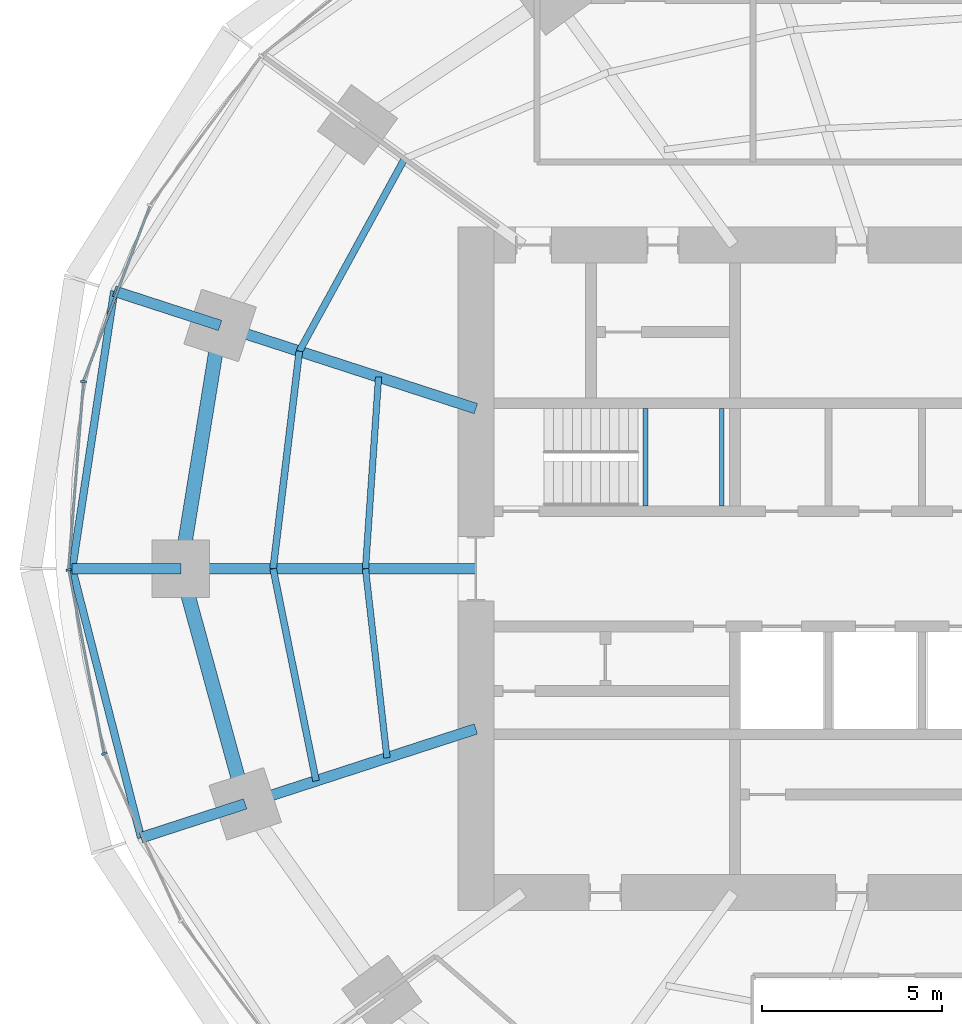
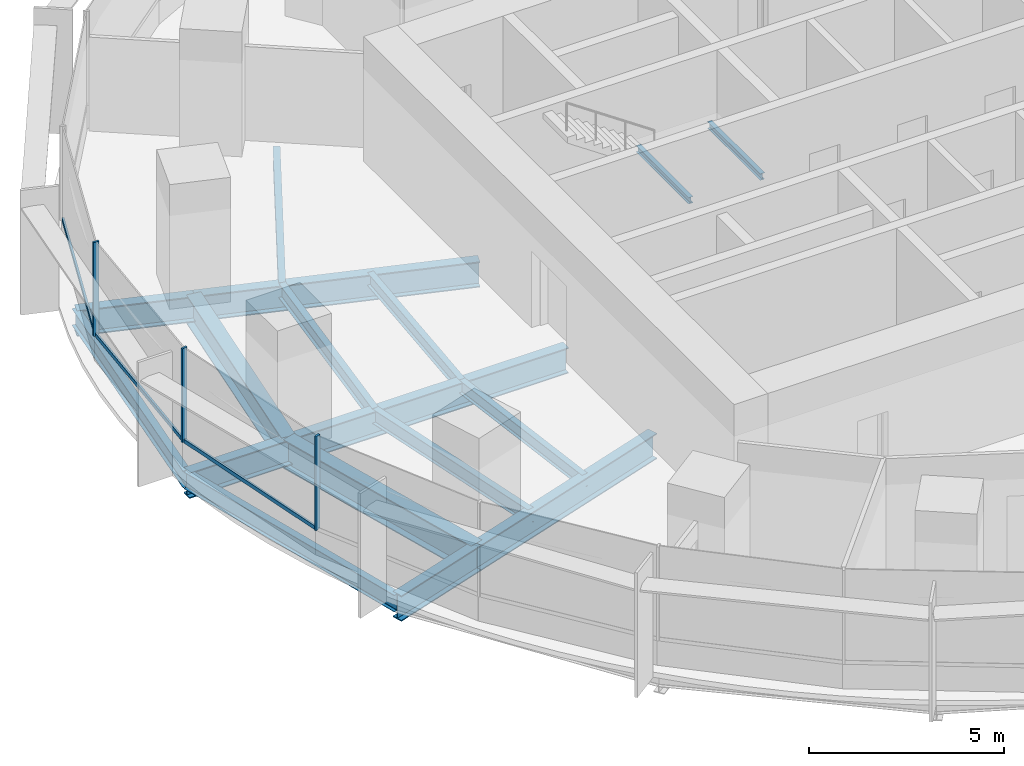
# One storey, part 4 of 14: 17 beams, 6 members, 2 elements without a shape of their own.
"""IFC4 building model written with IfcOpenShell, lengths in metres."""

from ifc_helpers import new_model, si_unit, direction, frame, origin, origin_2d, place, context, subcontext, project, spatial, rectangle, i_section, extrude, material, material_profile, profile_set, type_object, element, aggregate, save


model = new_model("IFC4")

# Units and contexts
model_context = context("Model", 3, precision=1e-05, world=origin(), true_north=direction((0.0, 1.0)))
body_context = subcontext(model_context, "Body", "Model", "MODEL_VIEW")
ifc_project = project(units=[si_unit("LENGTHUNIT", "METRE"), si_unit("AREAUNIT", "SQUARE_METRE"), si_unit("VOLUMEUNIT", "CUBIC_METRE"), si_unit("PLANEANGLEUNIT", "RADIAN"), si_unit("MASSUNIT", "GRAM", prefix="KILO")], contexts=[model_context])

# Site, building, storey
site_placement = place(None, origin())
site = spatial("IfcSite", under=ifc_project, at=site_placement, CompositionType="ELEMENT")
building_placement = place(site_placement, origin())
building = spatial("IfcBuilding", under=site, at=building_placement, Name="Marramba Exchange Tower", CompositionType="ELEMENT")
storey_placement = place(building_placement, frame((0.0, 0.0, 158.699951171875)))
storey = spatial("IfcBuildingStorey", under=building, at=storey_placement, Name="L38", CompositionType="ELEMENT", Elevation=158.699951171875)

# Beams
ifc_material_1 = material(Name="Steel AS/NZS 3679.2 grade 300", Category="steel")
ifc_material_profile_1 = material_profile(ifc_material_1, i_section(OverallWidth=0.300048828125, OverallDepth=0.800048828125, WebThickness=0.013916015625, FlangeThickness=0.031982421875, at=origin_2d()), Name="800WB192")
ifc_profile_set_1 = profile_set([ifc_material_profile_1], Name="Steel AS/NZS 3679.2 grade 300")
beam_type_1 = type_object("IfcBeamType", Name="Cantilever girder 800WB192", PredefinedType="BEAM", material=ifc_profile_set_1)
beam_1_placement = place(storey_placement, frame((-20.808349609375, 6.760986328125, -0.56005859375), z_axis=(-0.95104799017, 0.309043233858, 0.0), x_axis=(-0.309043233858, -0.95104799017, 0.0)))
element("IfcBeam", 1, at=beam_1_placement, inside=storey, type_object=beam_type_1, Name="Cantilever girder L38 TC10", PredefinedType="BEAM", context=body_context, shape_type="SweptSolid", body=[
    extrude(i_section(OverallWidth=0.300048828125, OverallDepth=0.800048828125, WebThickness=0.013916015625, FlangeThickness=0.031982421875, at=origin_2d()), origin(), (0.0, 0.0, 1.0), 3.0927734375),
])
beam_2_placement = place(storey_placement, frame((-21.89990234375, 0.0, -0.56005859375), z_axis=(-1.0, 0.0, 0.0), x_axis=(0.0, -1.0, 0.0)))
element("IfcBeam", 2, at=beam_2_placement, inside=storey, type_object=beam_type_1, Name="Cantilever girder L38 TC11", PredefinedType="BEAM", context=body_context, shape_type="SweptSolid", body=[
    extrude(i_section(OverallWidth=0.300048828125, OverallDepth=0.800048828125, WebThickness=0.013916015625, FlangeThickness=0.031982421875, at=origin_2d()), origin(), (0.0, 0.0, 1.0), 3.01806640625),
])
beam_3_placement = place(storey_placement, frame((-20.109375, -6.533935546875, -0.56005859375), z_axis=(-0.951070617775, -0.308973591113, 0.0), x_axis=(0.308973591113, -0.951070617775, 0.0)))
element("IfcBeam", 3, at=beam_3_placement, inside=storey, type_object=beam_type_1, Name="Cantilever girder L38 TC12", PredefinedType="BEAM", context=body_context, shape_type="SweptSolid", body=[
    extrude(i_section(OverallWidth=0.300048828125, OverallDepth=0.800048828125, WebThickness=0.013916015625, FlangeThickness=0.031982421875, at=origin_2d()), origin(), (0.0, 0.0, 1.0), 3.04296875),
])
ifc_material_2 = material(Name="Steel AS/NZS 3679.1 grade 300", Category="steel")
ifc_material_profile_2 = material_profile(ifc_material_2, i_section(OverallWidth=0.177978515625, OverallDepth=0.406005859375, WebThickness=0.0078125, FlangeThickness=0.0126953125, FilletRadius=0.011474609375, at=origin_2d()), Name="410UB59.7")
ifc_profile_set_2 = profile_set([ifc_material_profile_2], Name="Steel AS/NZS 3679.1 grade 300")
beam_type_2 = type_object("IfcBeamType", Name="Floor joist 410UB59.7", PredefinedType="JOIST", material=ifc_profile_set_2)
beam_4_placement = place(storey_placement, frame((-16.40283203125, 5.32958984375, -0.363037109375), z_axis=(-0.068096259546, -0.99767875563, 0.0), x_axis=(0.99767875563, -0.068096259546, 0.0)))
element("IfcBeam", 4, at=beam_4_placement, inside=storey, type_object=beam_type_2, Name="Joist L38 bay 10 row 1", PredefinedType="JOIST", context=body_context, shape_type="SweptSolid", body=[
    extrude(i_section(OverallWidth=0.177978515625, OverallDepth=0.406005859375, WebThickness=0.0078125, FlangeThickness=0.0126953125, FilletRadius=0.011474609375, at=origin_2d()), origin(), (0.0, 0.0, 1.0), 5.342041015625),
])
beam_5_placement = place(storey_placement, frame((-16.7666015625, 0.0, -0.363037109375), z_axis=(0.112888968594, -0.993607609054, 0.0), x_axis=(0.993607609054, 0.112888968594, 0.0)))
element("IfcBeam", 5, at=beam_5_placement, inside=storey, type_object=beam_type_2, Name="Joist L38 bay 11 row 1", PredefinedType="JOIST", context=body_context, shape_type="SweptSolid", body=[
    extrude(i_section(OverallWidth=0.177978515625, OverallDepth=0.406005859375, WebThickness=0.0078125, FlangeThickness=0.0126953125, FilletRadius=0.011474609375, at=origin_2d()), origin(), (0.0, 0.0, 1.0), 5.28759765625),
])
ifc_material_profile_3 = material_profile(ifc_material_2, i_section(OverallWidth=0.18994140625, OverallDepth=0.4541015625, WebThickness=0.008544921875, FlangeThickness=0.0126953125, FilletRadius=0.011474609375, at=origin_2d()), Name="460UB67.1")
ifc_profile_set_3 = profile_set([ifc_material_profile_3], Name="Steel AS/NZS 3679.1 grade 300")
beam_type_3 = type_object("IfcBeamType", Name="Floor joist 460UB67.1", PredefinedType="JOIST", material=ifc_profile_set_3)
beam_6_placement = place(storey_placement, frame((-15.682373046875, 11.393798828125, -0.386962890625), z_axis=(-0.479584443791, -0.877495732909, 0.0), x_axis=(0.877495732909, -0.479584443791, 0.0)))
element("IfcBeam", 6, at=beam_6_placement, inside=storey, type_object=beam_type_3, Name="Joist L38 bay 09 row 2", PredefinedType="JOIST", context=body_context, shape_type="SweptSolid", body=[
    extrude(i_section(OverallWidth=0.18994140625, OverallDepth=0.4541015625, WebThickness=0.008544921875, FlangeThickness=0.0126953125, FilletRadius=0.011474609375, at=origin_2d()), origin(), (0.0, 0.0, 1.0), 6.094970703125),
])
beam_7_placement = place(storey_placement, frame((-18.60546875, 6.04541015625, -0.386962890625), z_axis=(-0.119523078538, -0.992831422597, 0.0), x_axis=(0.992831422597, -0.119523078538, 0.0)))
element("IfcBeam", 7, at=beam_7_placement, inside=storey, type_object=beam_type_3, Name="Joist L38 bay 10 row 2", PredefinedType="JOIST", context=body_context, shape_type="SweptSolid", body=[
    extrude(i_section(OverallWidth=0.18994140625, OverallDepth=0.4541015625, WebThickness=0.008544921875, FlangeThickness=0.0126953125, FilletRadius=0.011474609375, at=origin_2d()), origin(), (0.0, 0.0, 1.0), 6.089111328125),
])
beam_8_placement = place(storey_placement, frame((-19.333251953125, 0.0, -0.386962890625), z_axis=(0.198489047047, -0.980103105904, 0.0), x_axis=(0.980103105904, 0.198489047047, 0.0)))
element("IfcBeam", 8, at=beam_8_placement, inside=storey, type_object=beam_type_3, Name="Joist L38 bay 11 row 2", PredefinedType="JOIST", context=body_context, shape_type="SweptSolid", body=[
    extrude(i_section(OverallWidth=0.18994140625, OverallDepth=0.4541015625, WebThickness=0.008544921875, FlangeThickness=0.0126953125, FilletRadius=0.011474609375, at=origin_2d()), origin(), (0.0, 0.0, 1.0), 6.013427734375),
])

# Curtain wall, member
ifc_material_3 = material(Name="Aluminium framing, bronze anodised", Category="aluminium")
curtain_wall_type = type_object("IfcCurtainWallType", Name="Office ribbon curtain wall", PredefinedType="USERDEFINED", material=ifc_material_3)
curtain_wall_1_placement = place(storey_placement, origin())
curtain_wall_1 = element("IfcCurtainWall", 9, at=curtain_wall_1_placement, inside=storey, type_object=curtain_wall_type, Name="Curtain wall CW4 L38 F11-F15", ObjectType="RIBBON CURTAIN WALL", PredefinedType="USERDEFINED")
ifc_material_4 = material(Name="Aluminium mullion, bronze anodised", Category="aluminium")
ifc_material_profile_4 = material_profile(ifc_material_4, rectangle(XDim=0.159912109375, YDim=0.06005859375, at=origin_2d()), Name="CW4 mullion 60x160")
ifc_profile_set_4 = profile_set([ifc_material_profile_4], Name="Aluminium mullion, bronze anodised")
member_type_1 = type_object("IfcMemberType", Name="Office ribbon curtain wall mullion", PredefinedType="MULLION", material=ifc_profile_set_4)
member_1_placement = place(storey_placement, frame((-24.603515625, 5.19921875, 0.800048828125), z_axis=(0.0, 0.0, 1.0), x_axis=(0.996838079455, -0.079459696383, 0.0)))
member_1 = element("IfcMember", 10, at=member_1_placement, type_object=member_type_1, Name="CW4 mullion 1", PredefinedType="MULLION", context=body_context, shape_type="SweptSolid", body=[
    extrude(rectangle(XDim=0.159912109375, YDim=0.06005859375, at=origin_2d()), origin(), (0.0, 0.0, 1.0), 2.93994140625),
])

# Curtain wall, members
curtain_wall_2_placement = place(storey_placement, origin())
curtain_wall_2 = element("IfcCurtainWall", 11, at=curtain_wall_2_placement, inside=storey, type_object=curtain_wall_type, Name="Curtain wall CW4 L38 F16-F20", ObjectType="RIBBON CURTAIN WALL", PredefinedType="USERDEFINED")
member_2_placement = place(storey_placement, frame((-25.012451171875, -0.029541015625, 0.800048828125), z_axis=(0.0, 0.0, 1.0), x_axis=(0.982125509078, 0.18822721487, 0.0)))
member_2 = element("IfcMember", 12, at=member_2_placement, type_object=member_type_1, Name="CW4 mullion 1", PredefinedType="MULLION", context=body_context, shape_type="SweptSolid", body=[
    extrude(rectangle(XDim=0.159912109375, YDim=0.06005859375, at=origin_2d()), origin(), (0.0, 0.0, 1.0), 2.93994140625),
])
member_3_placement = place(storey_placement, frame((-24.026123046875, -5.136962890625, 0.800048828125), z_axis=(0.0, 0.0, 1.0), x_axis=(0.909026713177, 0.416737848929, 0.0)))
member_3 = element("IfcMember", 13, at=member_3_placement, type_object=member_type_1, Name="CW4 mullion 1", PredefinedType="MULLION", context=body_context, shape_type="SweptSolid", body=[
    extrude(rectangle(XDim=0.159912109375, YDim=0.06005859375, at=origin_2d()), origin(), (0.0, 0.0, 1.0), 2.93994140625),
])

# Member
ifc_material_5 = material(Name="Aluminium transom, bronze anodised", Category="aluminium")
ifc_material_profile_5 = material_profile(ifc_material_5, rectangle(XDim=0.06005859375, YDim=0.1201171875, at=origin_2d()), Name="CW4 transom 60x120")
ifc_profile_set_5 = profile_set([ifc_material_profile_5], Name="Aluminium transom, bronze anodised")
member_type_2 = type_object("IfcMemberType", Name="Office ribbon curtain wall transom", PredefinedType="USERDEFINED", material=ifc_profile_set_5)
member_4_placement = place(storey_placement, frame((-22.763916015625, 10.069580078125, 0.830078125), z_axis=(-0.354851822252, -0.934922555212, 0.0), x_axis=(0.934922555212, -0.354851822252, 0.0)))
member_4 = element("IfcMember", 14, at=member_4_placement, type_object=member_type_2, Name="CW4 sill transom", ObjectType="TRANSOM", PredefinedType="USERDEFINED", context=body_context, shape_type="SweptSolid", body=[
    extrude(rectangle(XDim=0.06005859375, YDim=0.1201171875, at=origin_2d()), origin(), (0.0, 0.0, 1.0), 5.17724609375),
])

member_5_placement = place(storey_placement, frame((-24.60595703125, 5.16943359375, 0.830078125), z_axis=(-0.07946828762, -0.996837394595, 0.0), x_axis=(0.996837394595, -0.07946828762, 0.0)))
member_5 = element("IfcMember", 15, at=member_5_placement, type_object=member_type_2, Name="CW4 sill transom", ObjectType="TRANSOM", PredefinedType="USERDEFINED", context=body_context, shape_type="SweptSolid", body=[
    extrude(rectangle(XDim=0.06005859375, YDim=0.1201171875, at=origin_2d()), origin(), (0.0, 0.0, 1.0), 5.185791015625),
])

aggregate(curtain_wall_1, [member_4, member_1, member_5])

member_6_placement = place(storey_placement, frame((-25.006591796875, -0.058837890625, 0.830078125), z_axis=(0.188185293992, -0.982133542409, 0.0), x_axis=(0.982133542409, 0.188185293992, 0.0)))
member_6 = element("IfcMember", 16, at=member_6_placement, type_object=member_type_2, Name="CW4 sill transom", ObjectType="TRANSOM", PredefinedType="USERDEFINED", context=body_context, shape_type="SweptSolid", body=[
    extrude(rectangle(XDim=0.06005859375, YDim=0.1201171875, at=origin_2d()), origin(), (0.0, 0.0, 1.0), 5.142578125),
])

aggregate(curtain_wall_2, [member_2, member_6, member_3])

# Beams
ifc_material_profile_6 = material_profile(ifc_material_1, i_section(OverallWidth=0.300048828125, OverallDepth=0.800048828125, WebThickness=0.013916015625, FlangeThickness=0.031982421875, at=origin_2d()), Name="800WB192")
ifc_profile_set_6 = profile_set([ifc_material_profile_6], Name="Steel AS/NZS 3679.2 grade 300")
beam_type_4 = type_object("IfcBeamType", Name="Radial girder 800WB192", PredefinedType="BEAM", material=ifc_profile_set_6)
beam_9_placement = place(storey_placement, frame((-13.699951171875, 4.451416015625, -0.56005859375), z_axis=(-0.951059990189, 0.309006302624, 0.0), x_axis=(-0.309006302624, -0.951059990189, 0.0)))
element("IfcBeam", 17, at=beam_9_placement, inside=storey, type_object=beam_type_4, Name="Radial girder L38 TC10", PredefinedType="BEAM", context=body_context, shape_type="SweptSolid", body=[
    extrude(i_section(OverallWidth=0.300048828125, OverallDepth=0.800048828125, WebThickness=0.013916015625, FlangeThickness=0.031982421875, at=origin_2d()), origin(), (0.0, 0.0, 1.0), 7.47412109375),
])
beam_10_placement = place(storey_placement, frame((-13.699951171875, 0.0, -0.56005859375), z_axis=(-1.0, 0.0, 0.0), x_axis=(0.0, -1.0, 0.0)))
element("IfcBeam", 18, at=beam_10_placement, inside=storey, type_object=beam_type_4, Name="Radial girder L38 TC11", PredefinedType="BEAM", context=body_context, shape_type="SweptSolid", body=[
    extrude(i_section(OverallWidth=0.300048828125, OverallDepth=0.800048828125, WebThickness=0.013916015625, FlangeThickness=0.031982421875, at=origin_2d()), origin(), (0.0, 0.0, 1.0), 8.199951171875),
])
beam_11_placement = place(storey_placement, frame((-13.699951171875, -4.451416015625, -0.56005859375), z_axis=(-0.951057759669, -0.309013167637, 0.0), x_axis=(0.309013167637, -0.951057759669, 0.0)))
element("IfcBeam", 19, at=beam_11_placement, inside=storey, type_object=beam_type_4, Name="Radial girder L38 TC12", PredefinedType="BEAM", context=body_context, shape_type="SweptSolid", body=[
    extrude(i_section(OverallWidth=0.300048828125, OverallDepth=0.800048828125, WebThickness=0.013916015625, FlangeThickness=0.031982421875, at=origin_2d()), origin(), (0.0, 0.0, 1.0), 6.7392578125),
])
ifc_material_profile_7 = material_profile(ifc_material_1, i_section(OverallWidth=0.39990234375, OverallDepth=0.89990234375, WebThickness=0.01611328125, FlangeThickness=0.031982421875, at=origin_2d()), Name="900WB282")
ifc_profile_set_7 = profile_set([ifc_material_profile_7], Name="Steel AS/NZS 3679.2 grade 300")
beam_type_5 = type_object("IfcBeamType", Name="Ring beam 900WB282", PredefinedType="SPANDREL", material=ifc_profile_set_7)
beam_12_placement = place(storey_placement, frame((-20.808349609375, 6.760986328125, -0.60986328125), z_axis=(-0.159384865399, -0.987216523708, 0.0), x_axis=(0.987216523708, -0.159384865399, 0.0)))
element("IfcBeam", 20, at=beam_12_placement, inside=storey, type_object=beam_type_5, Name="Ring beam L38 TC10-TC11", PredefinedType="SPANDREL", context=body_context, shape_type="SweptSolid", body=[
    extrude(i_section(OverallWidth=0.39990234375, OverallDepth=0.89990234375, WebThickness=0.01611328125, FlangeThickness=0.031982421875, at=origin_2d()), origin(), (0.0, 0.0, 1.0), 6.8486328125),
])
beam_13_placement = place(storey_placement, frame((-21.89990234375, 0.0, -0.60986328125), z_axis=(0.264291166956, -0.964442937176, 0.0), x_axis=(0.964442937176, 0.264291166956, 0.0)))
element("IfcBeam", 21, at=beam_13_placement, inside=storey, type_object=beam_type_5, Name="Ring beam L38 TC11-TC12", PredefinedType="SPANDREL", context=body_context, shape_type="SweptSolid", body=[
    extrude(i_section(OverallWidth=0.39990234375, OverallDepth=0.89990234375, WebThickness=0.01611328125, FlangeThickness=0.031982421875, at=origin_2d()), origin(), (0.0, 0.0, 1.0), 6.77490234375),
])
ifc_material_profile_8 = material_profile(ifc_material_2, i_section(OverallWidth=0.208984375, OverallDepth=0.528076171875, WebThickness=0.009521484375, FlangeThickness=0.01318359375, FilletRadius=0.013916015625, at=origin_2d()), Name="530UB82.0")
ifc_profile_set_8 = profile_set([ifc_material_profile_8], Name="Steel AS/NZS 3679.1 grade 300")
beam_type_6 = type_object("IfcBeamType", Name="Slab edge beam 530UB82.0", PredefinedType="SPANDREL", material=ifc_profile_set_8)
beam_14_placement = place(storey_placement, frame((-23.749755859375, 7.716796875, -0.424072265625), z_axis=(-0.149680281727, -0.988734450326, 0.0), x_axis=(0.988734450326, -0.149680281727, 0.0)))
element("IfcBeam", 22, at=beam_14_placement, inside=storey, type_object=beam_type_6, Name="Slab edge beam L38 TC10-TC11", PredefinedType="SPANDREL", context=body_context, shape_type="SweptSolid", body=[
    extrude(i_section(OverallWidth=0.208984375, OverallDepth=0.528076171875, WebThickness=0.009521484375, FlangeThickness=0.01318359375, FilletRadius=0.013916015625, at=origin_2d()), origin(), (0.0, 0.0, 1.0), 7.8046875),
])
beam_15_placement = place(storey_placement, frame((-24.91796875, 0.0, -0.424072265625), z_axis=(0.248145427917, -0.968722791413, 0.0), x_axis=(0.968722791413, 0.248145427917, 0.0)))
element("IfcBeam", 23, at=beam_15_placement, inside=storey, type_object=beam_type_6, Name="Slab edge beam L38 TC11-TC12", PredefinedType="SPANDREL", context=body_context, shape_type="SweptSolid", body=[
    extrude(i_section(OverallWidth=0.208984375, OverallDepth=0.528076171875, WebThickness=0.009521484375, FlangeThickness=0.01318359375, FilletRadius=0.013916015625, at=origin_2d()), origin(), (0.0, 0.0, 1.0), 7.71533203125),
])
ifc_material_profile_9 = material_profile(ifc_material_2, i_section(OverallWidth=0.133056640625, OverallDepth=0.202880859375, WebThickness=0.005859375, FlangeThickness=0.0078125, FilletRadius=0.0087890625, at=origin_2d()), Name="200UB25.4")
ifc_profile_set_9 = profile_set([ifc_material_profile_9], Name="Steel AS/NZS 3679.1 grade 300")
beam_type_7 = type_object("IfcBeamType", Name="Stair landing beam 200UB25.4", PredefinedType="BEAM", material=ifc_profile_set_9)
for number, where, z_axis, x_axis, name in (
    (24, (-8.9833984375, 1.75, 1.6484375), (0.0, 1.0, 0.0), (-1.0, 0.0, 0.0), "Stair landing beam SLB1 ST1 L38 1"),
    (25, (-6.866455078125, 1.75, 1.6484375), (0.0, 1.0, 0.0), (-1.0, 0.0, 0.0), "Stair landing beam SLB1 ST1 L38 2"),
):
    element("IfcBeam", number, at=place(storey_placement, frame(where, z_axis=z_axis, x_axis=x_axis)), inside=storey, type_object=beam_type_7, Name=name, PredefinedType="BEAM", context=body_context, shape_type="SweptSolid", body=[
        extrude(i_section(OverallWidth=0.133056640625, OverallDepth=0.202880859375, WebThickness=0.005859375, FlangeThickness=0.0078125, FilletRadius=0.0087890625, at=origin_2d()), origin(), (0.0, 0.0, 1.0), 2.699951171875),
    ])

save(model, "model.ifc")
